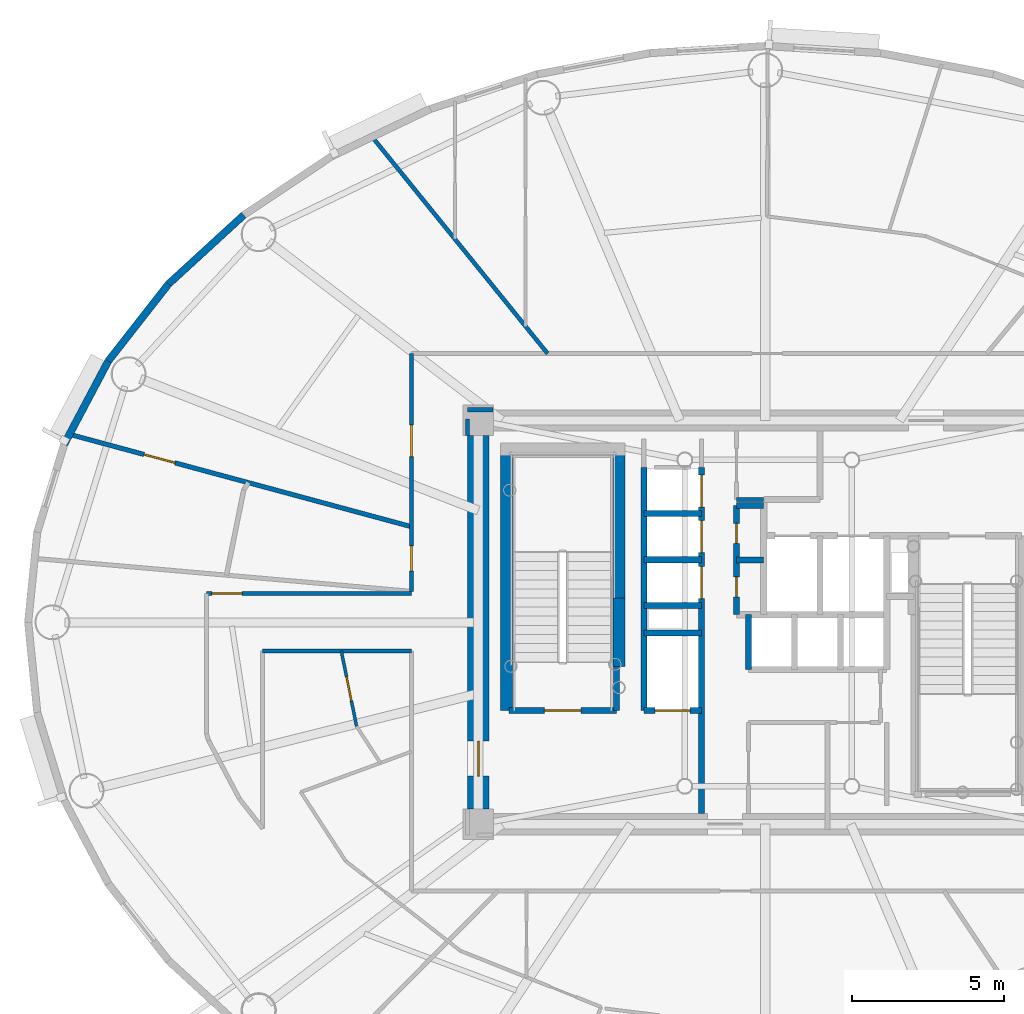
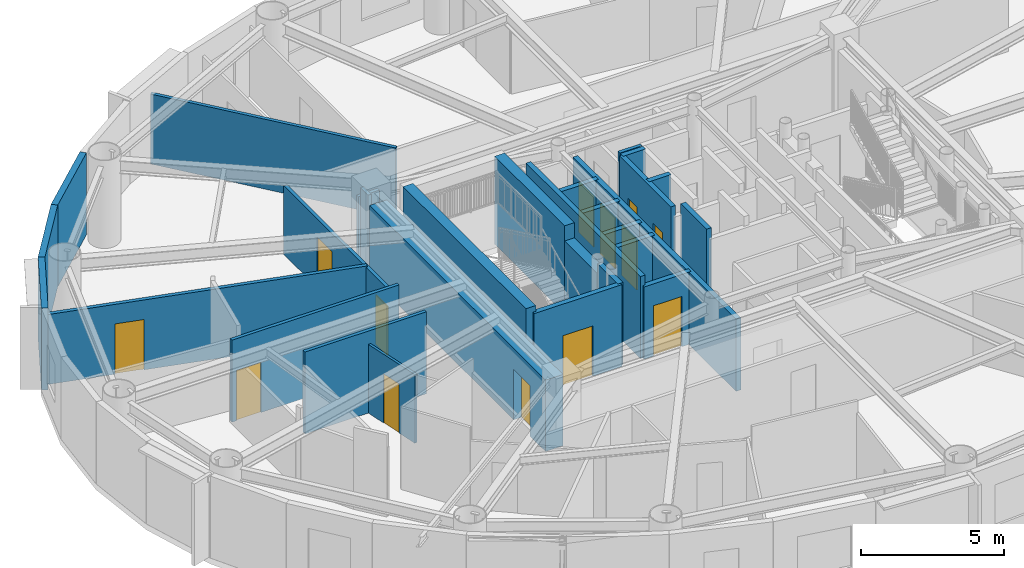
# One storey, part 8 of 18: 29 walls, 13 doors, 13 openings.
"""IFC4 building model written with IfcOpenShell, lengths in metres."""

from ifc_helpers import new_model, si_unit, direction, frame, frame_2d, origin, origin_2d, place, context, subcontext, project, spatial, rectangle, extrude, source, transform, mapped, material, layer, layer_set, type_object, element, fill, save


model = new_model("IFC4")

# Units and contexts
model_context = context("Model", 3, precision=1e-05, world=origin(), true_north=direction((0.0, 1.0)))
body_context = subcontext(model_context, "Body", "Model", "MODEL_VIEW")
ifc_project = project(units=[si_unit("LENGTHUNIT", "METRE"), si_unit("AREAUNIT", "SQUARE_METRE"), si_unit("VOLUMEUNIT", "CUBIC_METRE"), si_unit("PLANEANGLEUNIT", "RADIAN"), si_unit("MASSUNIT", "GRAM", prefix="KILO")], contexts=[model_context])

# Site, building, storey
site_placement = place(None, origin())
site = spatial("IfcSite", under=ifc_project, at=site_placement, CompositionType="ELEMENT")
building_placement = place(site_placement, origin())
building = spatial("IfcBuilding", under=site, at=building_placement, Name="Linh Dai School and Residence Tower", CompositionType="ELEMENT")
storey_placement = place(building_placement, frame((0.0, 0.0, 244.050048828125)))
storey = spatial("IfcBuildingStorey", under=building, at=storey_placement, Name="L60", CompositionType="ELEMENT", Elevation=244.050048828125)

# Walls
ifc_material_1 = material(Name="Precast Concrete B45 (C35/45)", Category="concrete")
ifc_layer_1 = layer(ifc_material_1, 0.239990234375)
ifc_layer_set_1 = layer_set([ifc_layer_1], Name="Precast Concrete B45 (C35/45)")
wall_type_1 = type_object("IfcWallType", Name="EW-TC-240", PredefinedType="SOLIDWALL", material=ifc_layer_set_1)
wall_1_placement = place(storey_placement, frame((16.3515625, 38.14453125, 0.0), z_axis=(0.0, 0.0, 1.0), x_axis=(0.737123922599, 0.675757591694, 0.0)))
element("IfcWall", 1, at=wall_1_placement, inside=storey, type_object=wall_type_1, Name="L60 Terracotta Exterior Wall 16", PredefinedType="SOLIDWALL", context=body_context, shape_type="SweptSolid", body=[
    extrude(rectangle(XDim=3.353759765625, YDim=0.239990234375, at=frame_2d((1.6767578125, 0.0))), origin(), (0.0, 0.0, 1.0), 3.5),
])
wall_2_placement = place(storey_placement, frame((14.3642578125, 35.605224609375, 0.0), z_axis=(0.0, 0.0, 1.0), x_axis=(0.616312344705, 0.787501805562, 0.0)))
element("IfcWall", 2, at=wall_2_placement, inside=storey, type_object=wall_type_1, Name="L60 Terracotta Exterior Wall 17", PredefinedType="SOLIDWALL", context=body_context, shape_type="SweptSolid", body=[
    extrude(rectangle(XDim=3.224609375, YDim=0.239990234375, at=frame_2d((1.6123046875, 0.0))), origin(), (0.0, 0.0, 1.0), 3.5),
])
wall_3_placement = place(storey_placement, frame((12.90966796875, 32.85595703125, 0.0), z_axis=(0.0, 0.0, 1.0), x_axis=(0.46766049993, 0.883908172157, 0.0)))
element("IfcWall", 3, at=wall_3_placement, inside=storey, type_object=wall_type_1, Name="L60 Terracotta Exterior Wall 18", PredefinedType="SOLIDWALL", context=body_context, shape_type="SweptSolid", body=[
    extrude(rectangle(XDim=3.1103515625, YDim=0.239990234375, at=frame_2d((1.55517578125, 0.0))), origin(), (0.0, 0.0, 1.0), 3.5),
])

# Wall, opening, door
ifc_material_2 = material(Name="Autoclaved Aerated Concrete Blockwork", Category="masonry")
ifc_layer_2 = layer(ifc_material_2, 0.135009765625)
ifc_layer_set_2 = layer_set([ifc_layer_2], Name="Autoclaved Aerated Concrete Blockwork")
wall_type_2 = type_object("IfcWallType", Name="IW-CORR-135-EI90", PredefinedType="PARTITIONING", material=ifc_layer_set_2)
wall_4_placement = place(storey_placement, frame((17.60009765625, 27.949951171875, 0.0), z_axis=(0.0, 0.0, 1.0), x_axis=(1.0, 0.0, 0.0)))
wall_4 = element("IfcWall", 4, at=wall_4_placement, inside=storey, type_object=wall_type_2, Name="L60 Interior Partition Wall 005", PredefinedType="PARTITIONING", context=body_context, shape_type="SweptSolid", body=[
    extrude(rectangle(XDim=6.75, YDim=0.135009765625, at=frame_2d((3.375, 0.0))), origin(), (0.0, 0.0, 1.0), 3.5),
])
opening_1_placement = place(wall_4_placement, frame((0.175048828125, 0.0, 0.0)))
opening_1 = element("IfcOpeningElement", 5, at=opening_1_placement, cuts=wall_4, Name="Opening D03", PredefinedType="OPENING", context=body_context, shape_type="SweptSolid", body=[
    extrude(rectangle(XDim=1.0, YDim=2.14990234375, at=origin_2d()), frame((0.5, 0.07763671875, 1.074951171875), z_axis=(0.0, -1.0, 0.0), x_axis=(1.0, 0.0, 0.0)), (0.0, 0.0, 1.0), 0.155029296875),
])
ifc_material_3 = material(Name="Fire-Rated Solid Timber Entrance Door", Category="wood")
door_type_1 = type_object("IfcDoorType", Name="DR-FLAT-1000x2150-FD60S", OperationType="NOTDEFINED", PredefinedType="DOOR", material=ifc_material_3)
shared_shape_1 = source(origin(), body_context, "Body", "SweptSolid", [
    extrude(rectangle(XDim=1.0, YDim=2.14990234375, at=origin_2d()), frame((0.5, 0.02490234375, 1.074951171875), z_axis=(0.0, -1.0, 0.0), x_axis=(1.0, 0.0, 0.0)), (0.0, 0.0, 1.0), 0.050048828125),
])
door_1_placement = place(opening_1_placement, origin())
door_1 = element("IfcDoor", 6, at=door_1_placement, inside=storey, type_object=door_type_1, Name="L60 U6001 Apartment Entrance Door", OperationType="SINGLE_SWING_LEFT", OverallHeight=2.14990234375, OverallWidth=1.0, PredefinedType="DOOR", context=body_context, shape_type="MappedRepresentation", body=[
    mapped(shared_shape_1, transform((0.0, 0.0, 0.0), x_axis=(1.0, 0.0, 0.0), y_axis=(0.0, 1.0, 0.0), z_axis=(0.0, 0.0, 1.0), scale=1.0)),
])
fill(opening_1, door_1)

# Walls
wall_5_placement = place(storey_placement, frame((19.449951171875, 26.050048828125, 0.0), z_axis=(0.0, 0.0, 1.0), x_axis=(1.0, 0.0, 0.0)))
element("IfcWall", 7, at=wall_5_placement, inside=storey, type_object=wall_type_2, Name="L60 Interior Partition Wall 011", PredefinedType="PARTITIONING", context=body_context, shape_type="SweptSolid", body=[
    extrude(rectangle(XDim=4.900146484375, YDim=0.135009765625, at=frame_2d((2.4501953125, 0.0))), origin(), (0.0, 0.0, 1.0), 3.5),
])
wall_6_placement = place(storey_placement, frame((23.05029296875, 42.991455078125, 0.0), z_axis=(0.0, 0.0, 1.0), x_axis=(0.629320507303, -0.777145867317, 0.0)))
element("IfcWall", 8, at=wall_6_placement, inside=storey, type_object=wall_type_2, Name="L60 Interior Partition Wall 018", PredefinedType="PARTITIONING", context=body_context, shape_type="SweptSolid", body=[
    extrude(rectangle(XDim=9.189208984375, YDim=0.135009765625, at=frame_2d((4.5947265625, 0.0))), origin(), (0.0, 0.0, 1.0), 2.98486328125),
])

# Wall, openings, doors
wall_7_placement = place(storey_placement, frame((24.35009765625, 28.019287109375, 0.0), z_axis=(0.0, 0.0, 1.0), x_axis=(0.0, 1.0, 0.0)))
wall_7 = element("IfcWall", 9, at=wall_7_placement, inside=storey, type_object=wall_type_2, Name="L60 Interior Partition Wall 021", PredefinedType="PARTITIONING", context=body_context, shape_type="SweptSolid", body=[
    extrude(rectangle(XDim=7.830810546875, YDim=0.135009765625, at=frame_2d((3.91552734375, 0.0))), origin(), (0.0, 0.0, 1.0), 2.93505859375),
])
opening_2_placement = place(wall_7_placement, frame((4.4345703125, 0.0, 0.0)))
opening_2 = element("IfcOpeningElement", 10, at=opening_2_placement, cuts=wall_7, Name="Opening D04", PredefinedType="OPENING", context=body_context, shape_type="SweptSolid", body=[
    extrude(rectangle(XDim=1.050048828125, YDim=2.14990234375, at=origin_2d()), frame((0.52490234375, 0.07763671875, 1.074951171875), z_axis=(0.0, -1.0, 0.0), x_axis=(1.0, 0.0, 0.0)), (0.0, 0.0, 1.0), 0.155029296875),
])
opening_3_placement = place(wall_7_placement, frame((0.67431640625, 0.0, 0.0)))
opening_3 = element("IfcOpeningElement", 11, at=opening_3_placement, cuts=wall_7, Name="Opening D06", PredefinedType="OPENING", context=body_context, shape_type="SweptSolid", body=[
    extrude(rectangle(XDim=0.820068359375, YDim=2.10009765625, at=origin_2d()), frame((0.41015625, 0.07763671875, 1.050048828125), z_axis=(0.0, -1.0, 0.0), x_axis=(1.0, 0.0, 0.0)), (0.0, 0.0, 1.0), 0.155029296875),
])
ifc_material_4 = material(Name="Acoustic Vision-Panel Timber Classroom Door", Category="wood")
door_type_2 = type_object("IfcDoorType", Name="DR-SCH-1050x2150-FD60S", OperationType="NOTDEFINED", PredefinedType="DOOR", material=ifc_material_4)
shared_shape_2 = source(origin(), body_context, "Body", "SweptSolid", [
    extrude(rectangle(XDim=1.050048828125, YDim=2.14990234375, at=origin_2d()), frame((0.52490234375, 0.02490234375, 1.074951171875), z_axis=(0.0, -1.0, 0.0), x_axis=(1.0, 0.0, 0.0)), (0.0, 0.0, 1.0), 0.050048828125),
])
door_2_placement = place(opening_2_placement, origin())
door_2 = element("IfcDoor", 12, at=door_2_placement, inside=storey, type_object=door_type_2, Name="L60 Sky Wellness and Pilates Studio Door", OperationType="SINGLE_SWING_LEFT", OverallHeight=2.14990234375, OverallWidth=1.050048828125, PredefinedType="DOOR", context=body_context, shape_type="MappedRepresentation", body=[
    mapped(shared_shape_2, transform((0.0, 0.0, 0.0), x_axis=(1.0, 0.0, 0.0), y_axis=(0.0, 1.0, 0.0), z_axis=(0.0, 0.0, 1.0), scale=1.0)),
])
fill(opening_2, door_2)
ifc_material_5 = material(Name="Moisture-Resistant Timber Bathroom Door", Category="wood")
door_type_3 = type_object("IfcDoorType", Name="DR-WET-820x2100", OperationType="NOTDEFINED", PredefinedType="DOOR", material=ifc_material_5)
shared_shape_3 = source(origin(), body_context, "Body", "SweptSolid", [
    extrude(rectangle(XDim=0.820068359375, YDim=2.10009765625, at=origin_2d()), frame((0.41015625, 0.02490234375, 1.050048828125), z_axis=(0.0, -1.0, 0.0), x_axis=(1.0, 0.0, 0.0)), (0.0, 0.0, 1.0), 0.050048828125),
])
door_3_placement = place(opening_3_placement, origin())
door_3 = element("IfcDoor", 13, at=door_3_placement, inside=storey, type_object=door_type_3, Name="L60 Amenity Accessible WC Door", OperationType="SINGLE_SWING_RIGHT", OverallHeight=2.10009765625, OverallWidth=0.820068359375, PredefinedType="DOOR", context=body_context, shape_type="MappedRepresentation", body=[
    mapped(shared_shape_3, transform((0.0, 0.0, 0.0), x_axis=(1.0, 0.0, 0.0), y_axis=(0.0, 1.0, 0.0), z_axis=(0.0, 0.0, 1.0), scale=1.0)),
])
fill(opening_3, door_3)

# Walls
wall_8_placement = place(storey_placement, frame((35.050048828125, 31.050048828125, 0.0), z_axis=(0.0, 0.0, 1.0), x_axis=(1.0, 0.0, 0.0)))
element("IfcWall", 14, at=wall_8_placement, inside=storey, type_object=wall_type_2, Name="L60 Interior Partition Wall 044", PredefinedType="PARTITIONING", context=body_context, shape_type="SweptSolid", body=[
    extrude(rectangle(XDim=0.89990234375, YDim=0.135009765625, at=frame_2d((0.449951171875, 0.0))), origin(), (0.0, 0.0, 1.0), 3.5),
])
wall_9_placement = place(storey_placement, frame((27.0400390625, 34.0, 0.0), z_axis=(0.0, 0.0, 1.0), x_axis=(-1.0, 0.0, 0.0)))
element("IfcWall", 15, at=wall_9_placement, inside=storey, type_object=wall_type_2, Name="L60 Interior Partition Wall 094", PredefinedType="PARTITIONING", context=body_context, shape_type="SweptSolid", body=[
    extrude(rectangle(XDim=0.840087890625, YDim=0.135009765625, at=frame_2d((0.419921875, 0.0))), origin(), (0.0, 0.0, 1.0), 2.93505859375),
])
wall_10_placement = place(storey_placement, frame((26.199951171875, 33.6923828125, 0.0), z_axis=(0.0, 0.0, 1.0), x_axis=(0.0, -1.0, 0.0)))
element("IfcWall", 16, at=wall_10_placement, inside=storey, type_object=wall_type_2, Name="L60 Interior Partition Wall 095", PredefinedType="PARTITIONING", context=body_context, shape_type="SweptSolid", body=[
    extrude(rectangle(XDim=0.532470703125, YDim=0.135009765625, at=frame_2d((0.26611328125, 0.0))), origin(), (0.0, 0.0, 1.0), 3.5),
])

# Wall, opening, door
ifc_layer_3 = layer(ifc_material_2, 0.14990234375)
ifc_layer_set_3 = layer_set([ifc_layer_3], Name="Autoclaved Aerated Concrete Blockwork")
wall_type_3 = type_object("IfcWallType", Name="IW-SCH-150-EI60", PredefinedType="PARTITIONING", material=ifc_layer_set_3)
wall_11_placement = place(storey_placement, frame((13.08203125, 33.1923828125, 0.0), z_axis=(0.0, 0.0, 1.0), x_axis=(0.965379480797, -0.26084949311, 0.0)))
wall_11 = element("IfcWall", 17, at=wall_11_placement, inside=storey, type_object=wall_type_3, Name="L60 Interior Partition Wall 002", PredefinedType="PARTITIONING", context=body_context, shape_type="SweptSolid", body=[
    extrude(rectangle(XDim=11.672119140625, YDim=0.14990234375, at=frame_2d((5.8359375, 0.0))), origin(), (0.0, 0.0, 1.0), 2.98486328125),
])
opening_4_placement = place(wall_11_placement, frame((2.548583984375, 0.0, 0.0)))
opening_4 = element("IfcOpeningElement", 18, at=opening_4_placement, cuts=wall_11, Name="Opening D04", PredefinedType="OPENING", context=body_context, shape_type="SweptSolid", body=[
    extrude(rectangle(XDim=1.050048828125, YDim=2.14990234375, at=origin_2d()), frame((0.52490234375, 0.0849609375, 1.074951171875), z_axis=(0.0, -1.0, 0.0), x_axis=(1.0, 0.0, 0.0)), (0.0, 0.0, 1.0), 0.169921875),
])
door_4_placement = place(opening_4_placement, origin())
door_4 = element("IfcDoor", 19, at=door_4_placement, inside=storey, type_object=door_type_2, Name="L60 Amenity Tea Salon Door", OperationType="SINGLE_SWING_LEFT", OverallHeight=2.14990234375, OverallWidth=1.050048828125, PredefinedType="DOOR", context=body_context, shape_type="MappedRepresentation", body=[
    mapped(shared_shape_2, transform((0.0, 0.0, 0.0), x_axis=(1.0, 0.0, 0.0), y_axis=(0.0, 1.0, 0.0), z_axis=(0.0, 0.0, 1.0), scale=1.0)),
])
fill(opening_4, door_4)

ifc_material_6 = material(Name="Concrete B45 (C35/45)", Category="concrete")
ifc_layer_4 = layer(ifc_material_6, 0.199951171875)
ifc_layer_set_4 = layer_set([ifc_layer_4], Name="Concrete B45 (C35/45)")
wall_type_4 = type_object("IfcWallType", Name="IW-SHAFT-200-EI120", PredefinedType="PARTITIONING", material=ifc_layer_set_4)
wall_12_placement = place(storey_placement, frame((27.56005859375, 24.10009765625, 0.0), z_axis=(0.0, 0.0, 1.0), x_axis=(1.0, 0.0, 0.0)))
wall_12 = element("IfcWall", 20, at=wall_12_placement, inside=storey, type_object=wall_type_4, Name="L60 Interior Partition Wall 025", PredefinedType="PARTITIONING", context=body_context, shape_type="SweptSolid", body=[
    extrude(rectangle(XDim=3.5400390625, YDim=0.199951171875, at=frame_2d((1.77001953125, 0.0))), origin(), (0.0, 0.0, 1.0), 3.5),
])
opening_5_placement = place(wall_12_placement, frame((1.169921875, 0.0, 0.0)))
opening_5 = element("IfcOpeningElement", 21, at=opening_5_placement, cuts=wall_12, Name="Opening D01", PredefinedType="OPENING", context=body_context, shape_type="SweptSolid", body=[
    extrude(rectangle(XDim=1.199951171875, YDim=2.14990234375, at=origin_2d()), frame((0.60009765625, 0.10986328125, 1.074951171875), z_axis=(0.0, -1.0, 0.0), x_axis=(1.0, 0.0, 0.0)), (0.0, 0.0, 1.0), 0.219970703125),
])
ifc_material_7 = material(Name="Fire-Rated Steel Door Leaf", Category="steel")
door_type_4 = type_object("IfcDoorType", Name="DR-STAIR-1200x2150-FD90S", OperationType="NOTDEFINED", PredefinedType="DOOR", material=ifc_material_7)
shared_shape_4 = source(origin(), body_context, "Body", "SweptSolid", [
    extrude(rectangle(XDim=1.199951171875, YDim=2.14990234375, at=origin_2d()), frame((0.60009765625, 0.02490234375, 1.074951171875), z_axis=(0.0, -1.0, 0.0), x_axis=(1.0, 0.0, 0.0)), (0.0, 0.0, 1.0), 0.050048828125),
])
door_5_placement = place(opening_5_placement, origin())
door_5 = element("IfcDoor", 22, at=door_5_placement, inside=storey, type_object=door_type_4, Name="L60 Core Smokeproof Exit Stair ST1 Door", OperationType="SINGLE_SWING_LEFT", OverallHeight=2.14990234375, OverallWidth=1.199951171875, PredefinedType="DOOR", context=body_context, shape_type="MappedRepresentation", body=[
    mapped(shared_shape_4, transform((0.0, 0.0, 0.0), x_axis=(1.0, 0.0, 0.0), y_axis=(0.0, 1.0, 0.0), z_axis=(0.0, 0.0, 1.0), scale=1.0)),
])
fill(opening_5, door_5)

# Walls
wall_13_placement = place(storey_placement, frame((31.10009765625, 24.10009765625, 0.0), z_axis=(0.0, 0.0, 1.0), x_axis=(0.0, 1.0, 0.0)))
element("IfcWall", 23, at=wall_13_placement, inside=storey, type_object=wall_type_4, Name="L60 Interior Partition Wall 030", PredefinedType="PARTITIONING", context=body_context, shape_type="SweptSolid", body=[
    extrude(rectangle(XDim=1.43994140625, YDim=0.199951171875, at=frame_2d((0.719970703125, 0.0))), origin(), (0.0, 0.0, 1.0), 3.5),
])
wall_14_placement = place(storey_placement, frame((32.0, 24.10009765625, 0.0), z_axis=(0.0, 0.0, 1.0), x_axis=(0.0, 1.0, 0.0)))
element("IfcWall", 24, at=wall_14_placement, inside=storey, type_object=wall_type_4, Name="L60 Interior Partition Wall 031", PredefinedType="PARTITIONING", context=body_context, shape_type="SweptSolid", body=[
    extrude(rectangle(XDim=8.0, YDim=0.199951171875, at=frame_2d((4.0, 0.0))), origin(), (0.0, 0.0, 1.0), 3.5),
])

# Wall, opening, door
wall_15_placement = place(storey_placement, frame((32.0, 24.10009765625, 0.0), z_axis=(0.0, 0.0, 1.0), x_axis=(1.0, 0.0, 0.0)))
wall_15 = element("IfcWall", 25, at=wall_15_placement, inside=storey, type_object=wall_type_4, Name="L60 Interior Partition Wall 032", PredefinedType="PARTITIONING", context=body_context, shape_type="SweptSolid", body=[
    extrude(rectangle(XDim=1.89990234375, YDim=0.199951171875, at=frame_2d((0.949951171875, 0.0))), origin(), (0.0, 0.0, 1.0), 3.0849609375),
])
opening_6_placement = place(wall_15_placement, frame((0.375, 0.0, 0.0)))
opening_6 = element("IfcOpeningElement", 26, at=opening_6_placement, cuts=wall_15, Name="Opening LD-FF2", PredefinedType="OPENING", context=body_context, shape_type="SweptSolid", body=[
    extrude(rectangle(XDim=1.14990234375, YDim=2.14990234375, at=origin_2d()), frame((0.574951171875, 0.10986328125, 1.074951171875), z_axis=(0.0, -1.0, 0.0), x_axis=(1.0, 0.0, 0.0)), (0.0, 0.0, 1.0), 0.219970703125),
])
ifc_material_8 = material(Name="Fire-Rated Stainless Steel Firefighting Lift Door", Category="steel")
door_type_5 = type_object("IfcDoorType", Name="DR-LD-FF-1150x2150-FD120", OperationType="DOUBLE_DOOR_SLIDING", PredefinedType="USERDEFINED", material=ifc_material_8)
shared_shape_5 = source(origin(), body_context, "Body", "SweptSolid", [
    extrude(rectangle(XDim=1.14990234375, YDim=2.14990234375, at=origin_2d()), frame((0.574951171875, 0.02490234375, 1.074951171875), z_axis=(0.0, -1.0, 0.0), x_axis=(1.0, 0.0, 0.0)), (0.0, 0.0, 1.0), 0.050048828125),
])
door_6_placement = place(opening_6_placement, origin())
door_6 = element("IfcDoor", 27, at=door_6_placement, inside=storey, type_object=door_type_5, Name="L60 Lift FF2 Sliding Landing Door", ObjectType="LANDING DOOR", OperationType="DOUBLE_DOOR_SLIDING", OverallHeight=2.14990234375, OverallWidth=1.14990234375, PredefinedType="USERDEFINED", context=body_context, shape_type="MappedRepresentation", body=[
    mapped(shared_shape_5, transform((0.0, 0.0, 0.0), x_axis=(1.0, 0.0, 0.0), y_axis=(0.0, 1.0, 0.0), z_axis=(0.0, 0.0, 1.0), scale=1.0)),
])
fill(opening_6, door_6)

# Walls
for number, where, z_axis, x_axis, name in (
    (28, (32.0, 26.64990234375, 0.0), (0.0, 0.0, 1.0), (1.0, 0.0, 0.0), "L60 Interior Partition Wall 033"),
    (29, (32.0, 27.550048828125, 0.0), (0.0, 0.0, 1.0), (1.0, 0.0, 0.0), "L60 Interior Partition Wall 034"),
    (30, (32.0, 29.06005859375, 0.0), (0.0, 0.0, 1.0), (1.0, 0.0, 0.0), "L60 Interior Partition Wall 035"),
    (31, (32.0, 30.580078125, 0.0), (0.0, 0.0, 1.0), (1.0, 0.0, 0.0), "L60 Interior Partition Wall 036"),
):
    element("IfcWall", number, at=place(storey_placement, frame(where, z_axis=z_axis, x_axis=x_axis)), inside=storey, type_object=wall_type_4, Name=name, PredefinedType="PARTITIONING", context=body_context, shape_type="SweptSolid", body=[
        extrude(rectangle(XDim=1.89990234375, YDim=0.199951171875, at=frame_2d((0.949951171875, 0.0))), origin(), (0.0, 0.0, 1.0), 3.0849609375),
    ])

# Wall, openings, doors
wall_16_placement = place(storey_placement, frame((33.89990234375, 20.699951171875, 0.0), z_axis=(0.0, 0.0, 1.0), x_axis=(0.0, 1.0, 0.0)))
wall_16 = element("IfcWall", 32, at=wall_16_placement, inside=storey, type_object=wall_type_4, Name="L60 Interior Partition Wall 037", PredefinedType="PARTITIONING", context=body_context, shape_type="SweptSolid", body=[
    extrude(rectangle(XDim=11.400146484375, YDim=0.199951171875, at=frame_2d((5.7001953125, 0.0))), origin(), (0.0, 0.0, 1.0), 3.0849609375),
])
opening_7_placement = place(wall_16_placement, frame((7.080078125, 0.0, 0.0)))
opening_7 = element("IfcOpeningElement", 33, at=opening_7_placement, cuts=wall_16, Name="Opening LD-PL4", PredefinedType="OPENING", context=body_context, shape_type="SweptSolid", body=[
    extrude(rectangle(XDim=1.050048828125, YDim=2.14990234375, at=origin_2d()), frame((0.52490234375, 0.10986328125, 1.074951171875), z_axis=(0.0, -1.0, 0.0), x_axis=(1.0, 0.0, 0.0)), (0.0, 0.0, 1.0), 0.219970703125),
])
opening_8_placement = place(wall_16_placement, frame((8.594970703125, 0.0, 0.0)))
opening_8 = element("IfcOpeningElement", 34, at=opening_8_placement, cuts=wall_16, Name="Opening LD-PL5", PredefinedType="OPENING", context=body_context, shape_type="SweptSolid", body=[
    extrude(rectangle(XDim=1.050048828125, YDim=2.14990234375, at=origin_2d()), frame((0.52490234375, 0.10986328125, 1.074951171875), z_axis=(0.0, -1.0, 0.0), x_axis=(1.0, 0.0, 0.0)), (0.0, 0.0, 1.0), 0.219970703125),
])
opening_9_placement = place(wall_16_placement, frame((10.094970703125, 0.0, 0.0)))
opening_9 = element("IfcOpeningElement", 35, at=opening_9_placement, cuts=wall_16, Name="Opening LD-PL6", PredefinedType="OPENING", context=body_context, shape_type="SweptSolid", body=[
    extrude(rectangle(XDim=1.050048828125, YDim=2.14990234375, at=origin_2d()), frame((0.52490234375, 0.10986328125, 1.074951171875), z_axis=(0.0, -1.0, 0.0), x_axis=(1.0, 0.0, 0.0)), (0.0, 0.0, 1.0), 0.219970703125),
])
ifc_material_9 = material(Name="Brushed Stainless Steel Lift Landing Door", Category="steel")
door_type_6 = type_object("IfcDoorType", Name="DR-LD-PASS-1050x2150", OperationType="DOUBLE_DOOR_SLIDING", PredefinedType="USERDEFINED", material=ifc_material_9)
shared_shape_6 = source(origin(), body_context, "Body", "SweptSolid", [
    extrude(rectangle(XDim=1.050048828125, YDim=2.14990234375, at=origin_2d()), frame((0.52490234375, 0.02490234375, 1.074951171875), z_axis=(0.0, -1.0, 0.0), x_axis=(1.0, 0.0, 0.0)), (0.0, 0.0, 1.0), 0.050048828125),
])
door_7_placement = place(opening_7_placement, origin())
door_7 = element("IfcDoor", 36, at=door_7_placement, inside=storey, type_object=door_type_6, Name="L60 Lift PL4 Sliding Landing Door", ObjectType="LANDING DOOR", OperationType="DOUBLE_DOOR_SLIDING", OverallHeight=2.14990234375, OverallWidth=1.050048828125, PredefinedType="USERDEFINED", context=body_context, shape_type="MappedRepresentation", body=[
    mapped(shared_shape_6, transform((0.0, 0.0, 0.0), x_axis=(1.0, 0.0, 0.0), y_axis=(0.0, 1.0, 0.0), z_axis=(0.0, 0.0, 1.0), scale=1.0)),
])
fill(opening_7, door_7)
door_8_placement = place(opening_8_placement, origin())
door_8 = element("IfcDoor", 37, at=door_8_placement, inside=storey, type_object=door_type_6, Name="L60 Lift PL5 Sliding Landing Door", ObjectType="LANDING DOOR", OperationType="DOUBLE_DOOR_SLIDING", OverallHeight=2.14990234375, OverallWidth=1.050048828125, PredefinedType="USERDEFINED", context=body_context, shape_type="MappedRepresentation", body=[
    mapped(shared_shape_6, transform((0.0, 0.0, 0.0), x_axis=(1.0, 0.0, 0.0), y_axis=(0.0, 1.0, 0.0), z_axis=(0.0, 0.0, 1.0), scale=1.0)),
])
fill(opening_8, door_8)
door_9_placement = place(opening_9_placement, origin())
door_9 = element("IfcDoor", 38, at=door_9_placement, inside=storey, type_object=door_type_6, Name="L60 Lift PL6 Sliding Landing Door", ObjectType="LANDING DOOR", OperationType="DOUBLE_DOOR_SLIDING", OverallHeight=2.14990234375, OverallWidth=1.050048828125, PredefinedType="USERDEFINED", context=body_context, shape_type="MappedRepresentation", body=[
    mapped(shared_shape_6, transform((0.0, 0.0, 0.0), x_axis=(1.0, 0.0, 0.0), y_axis=(0.0, 1.0, 0.0), z_axis=(0.0, 0.0, 1.0), scale=1.0)),
])
fill(opening_9, door_9)

wall_17_placement = place(storey_placement, frame((35.050048828125, 27.25, 0.0), z_axis=(0.0, 0.0, 1.0), x_axis=(0.0, 1.0, 0.0)))
wall_17 = element("IfcWall", 39, at=wall_17_placement, inside=storey, type_object=wall_type_4, Name="L60 Interior Partition Wall 039", PredefinedType="PARTITIONING", context=body_context, shape_type="SweptSolid", body=[
    extrude(rectangle(XDim=3.60009765625, YDim=0.199951171875, at=frame_2d((1.800048828125, 0.0))), origin(), (0.0, 0.0, 1.0), 3.5),
])
opening_10_placement = place(wall_17_placement, frame((0.590087890625, 0.0, 0.0)))
opening_10 = element("IfcOpeningElement", 40, at=opening_10_placement, cuts=wall_17, Name="Opening AD1", PredefinedType="OPENING", context=body_context, shape_type="SweptSolid", body=[
    extrude(rectangle(XDim=0.659912109375, YDim=2.050048828125, at=origin_2d()), frame((0.330078125, 0.10986328125, 1.02490234375), z_axis=(0.0, -1.0, 0.0), x_axis=(1.0, 0.0, 0.0)), (0.0, 0.0, 1.0), 0.219970703125),
])
opening_11_placement = place(wall_17_placement, frame((2.35009765625, 0.0, 0.0)))
opening_11 = element("IfcOpeningElement", 41, at=opening_11_placement, cuts=wall_17, Name="Opening AD1", PredefinedType="OPENING", context=body_context, shape_type="SweptSolid", body=[
    extrude(rectangle(XDim=0.659912109375, YDim=2.050048828125, at=origin_2d()), frame((0.330078125, 0.10986328125, 1.02490234375), z_axis=(0.0, -1.0, 0.0), x_axis=(1.0, 0.0, 0.0)), (0.0, 0.0, 1.0), 0.219970703125),
])
ifc_material_10 = material(Name="Fire-Rated Steel Riser Access Door", Category="steel")
door_type_7 = type_object("IfcDoorType", Name="DR-ACC-660x2050-FD90S", OperationType="NOTDEFINED", PredefinedType="USERDEFINED", material=ifc_material_10)
shared_shape_7 = source(origin(), body_context, "Body", "SweptSolid", [
    extrude(rectangle(XDim=0.659912109375, YDim=2.050048828125, at=origin_2d()), frame((0.330078125, 0.02490234375, 1.02490234375), z_axis=(0.0, -1.0, 0.0), x_axis=(1.0, 0.0, 0.0)), (0.0, 0.0, 1.0), 0.050048828125),
])
door_10_placement = place(opening_10_placement, origin())
door_10 = element("IfcDoor", 42, at=door_10_placement, inside=storey, type_object=door_type_7, Name="L60 Telecom and Data Riser Access Door", ObjectType="ACCESS DOOR", OperationType="SINGLE_SWING_LEFT", OverallHeight=2.050048828125, OverallWidth=0.659912109375, PredefinedType="USERDEFINED", context=body_context, shape_type="MappedRepresentation", body=[
    mapped(shared_shape_7, transform((0.0, 0.0, 0.0), x_axis=(1.0, 0.0, 0.0), y_axis=(0.0, 1.0, 0.0), z_axis=(0.0, 0.0, 1.0), scale=1.0)),
])
fill(opening_10, door_10)
door_11_placement = place(opening_11_placement, origin())
door_11 = element("IfcDoor", 43, at=door_11_placement, inside=storey, type_object=door_type_7, Name="L60 Mechanical and Plumbing Riser Access Door", ObjectType="ACCESS DOOR", OperationType="SINGLE_SWING_RIGHT", OverallHeight=2.050048828125, OverallWidth=0.659912109375, PredefinedType="USERDEFINED", context=body_context, shape_type="MappedRepresentation", body=[
    mapped(shared_shape_7, transform((0.0, 0.0, 0.0), x_axis=(1.0, 0.0, 0.0), y_axis=(0.0, 1.0, 0.0), z_axis=(0.0, 0.0, 1.0), scale=1.0)),
])
fill(opening_11, door_11)

# Walls
for number, where, z_axis, x_axis, name in (
    (44, (35.050048828125, 29.050048828125, 0.0), (0.0, 0.0, 1.0), (1.0, 0.0, 0.0), "L60 Interior Partition Wall 041"),
    (45, (35.050048828125, 30.85009765625, 0.0), (0.0, 0.0, 1.0), (1.0, 0.0, 0.0), "L60 Interior Partition Wall 042"),
):
    element("IfcWall", number, at=place(storey_placement, frame(where, z_axis=z_axis, x_axis=x_axis)), inside=storey, type_object=wall_type_4, Name=name, PredefinedType="PARTITIONING", context=body_context, shape_type="SweptSolid", body=[
        extrude(rectangle(XDim=0.89990234375, YDim=0.199951171875, at=frame_2d((0.449951171875, 0.0))), origin(), (0.0, 0.0, 1.0), 3.5),
    ])
wall_18_placement = place(storey_placement, frame((35.449951171875, 25.449951171875, 0.0), z_axis=(0.0, 0.0, 1.0), x_axis=(0.0, 1.0, 0.0)))
element("IfcWall", 46, at=wall_18_placement, inside=storey, type_object=wall_type_4, Name="L60 Interior Partition Wall 047", PredefinedType="PARTITIONING", context=body_context, shape_type="SweptSolid", body=[
    extrude(rectangle(XDim=1.800048828125, YDim=0.199951171875, at=frame_2d((0.89990234375, 0.0))), origin(), (0.0, 0.0, 1.0), 3.5),
])

# Wall, opening, door
ifc_material_11 = material(Name="Gypsum Plasterboard Acoustic Stud Partition", Category="masonry")
ifc_layer_5 = layer(ifc_material_11, 0.10009765625)
ifc_layer_set_5 = layer_set([ifc_layer_5], Name="Gypsum Plasterboard Acoustic Stud Partition")
wall_type_5 = type_object("IfcWallType", Name="IW-UNIT-100", PredefinedType="PARTITIONING", material=ifc_layer_set_5)
wall_19_placement = place(storey_placement, frame((22.040283203125, 26.050048828125, 0.0), z_axis=(0.0, 0.0, 1.0), x_axis=(0.198273230268, -0.980146788067, 0.0)))
wall_19 = element("IfcWall", 47, at=wall_19_placement, inside=storey, type_object=wall_type_5, Name="L60 Interior Partition Wall 015", PredefinedType="PARTITIONING", context=body_context, shape_type="SweptSolid", body=[
    extrude(rectangle(XDim=2.524169921875, YDim=0.10009765625, at=frame_2d((1.26220703125, 0.0))), origin(), (0.0, 0.0, 1.0), 2.93505859375),
])
opening_12_placement = place(wall_19_placement, frame((0.852294921875, 0.0, 0.0)))
opening_12 = element("IfcOpeningElement", 48, at=opening_12_placement, cuts=wall_19, Name="Opening D06", PredefinedType="OPENING", context=body_context, shape_type="SweptSolid", body=[
    extrude(rectangle(XDim=0.820068359375, YDim=2.10009765625, at=origin_2d()), frame((0.41015625, 0.06005859375, 1.050048828125), z_axis=(0.0, -1.0, 0.0), x_axis=(1.0, 0.0, 0.0)), (0.0, 0.0, 1.0), 0.1201171875),
])
door_12_placement = place(opening_12_placement, origin())
door_12 = element("IfcDoor", 49, at=door_12_placement, inside=storey, type_object=door_type_3, Name="L60 Apartment U6001 Bathroom Door", OperationType="SINGLE_SWING_RIGHT", OverallHeight=2.10009765625, OverallWidth=0.820068359375, PredefinedType="DOOR", context=body_context, shape_type="MappedRepresentation", body=[
    mapped(shared_shape_3, transform((0.0, 0.0, 0.0), x_axis=(1.0, 0.0, 0.0), y_axis=(0.0, 1.0, 0.0), z_axis=(0.0, 0.0, 1.0), scale=1.0)),
])
fill(opening_12, door_12)

# Walls
ifc_layer_6 = layer(ifc_material_6, 0.39990234375)
ifc_layer_set_6 = layer_set([ifc_layer_6], Name="Concrete B45 (C35/45)")
wall_type_6 = type_object("IfcWallType", Name="WL-CORE400", PredefinedType="SHEAR", material=ifc_layer_set_6)
wall_20_placement = place(storey_placement, frame((27.47998046875, 24.10009765625, 0.0), z_axis=(0.0, 0.0, 1.0), x_axis=(0.0, 1.0, 0.0)))
element("IfcWall", 50, at=wall_20_placement, inside=storey, type_object=wall_type_6, Name="L60 Core Stair ST1 Bearing Wall W", PredefinedType="SHEAR", context=body_context, shape_type="SweptSolid", body=[
    extrude(rectangle(XDim=8.599853515625, YDim=0.39990234375, at=frame_2d((4.2998046875, 0.0))), origin(), (0.0, 0.0, 1.0), 3.75),
])
wall_21_placement = place(storey_placement, frame((31.179931640625, 27.800048828125, 0.0), z_axis=(0.0, 0.0, 1.0), x_axis=(0.0, 1.0, 0.0)))
element("IfcWall", 51, at=wall_21_placement, inside=storey, type_object=wall_type_6, Name="L60 Core Stair ST1 Bearing Wall E", PredefinedType="SHEAR", context=body_context, shape_type="SweptSolid", body=[
    extrude(rectangle(XDim=4.89990234375, YDim=0.39990234375, at=frame_2d((2.449951171875, 0.0))), origin(), (0.0, 0.0, 1.0), 3.75),
])
wall_22_placement = place(storey_placement, frame((31.179931640625, 25.550048828125, 0.0), z_axis=(0.0, 0.0, 1.0), x_axis=(0.0, 1.0, 0.0)))
element("IfcWall", 52, at=wall_22_placement, inside=storey, type_object=wall_type_6, Name="L60 Internal Core Shear Wall IW", PredefinedType="SHEAR", context=body_context, shape_type="SweptSolid", body=[
    extrude(rectangle(XDim=2.25, YDim=0.39990234375, at=frame_2d((1.125, 0.0))), origin(), (0.0, 0.0, 1.0), 3.099853515625),
])

# Wall, opening, door
ifc_layer_7 = layer(ifc_material_6, 0.699951171875)
ifc_layer_set_7 = layer_set([ifc_layer_7], Name="Concrete B45 (C35/45)")
wall_type_7 = type_object("IfcWallType", Name="WL-CORE700", PredefinedType="SHEAR", material=ifc_layer_set_7)
wall_23_placement = place(storey_placement, frame((26.550048828125, 20.85009765625, 0.0), z_axis=(0.0, 0.0, 1.0), x_axis=(0.0, 1.0, 0.0)))
wall_23 = element("IfcWall", 53, at=wall_23_placement, inside=storey, type_object=wall_type_7, Name="L60 Central Core Shear Wall W", PredefinedType="SHEAR", context=body_context, shape_type="SweptSolid", body=[
    extrude(rectangle(XDim=12.2998046875, YDim=0.699951171875, at=frame_2d((6.14990234375, 0.0))), origin(), (0.0, 0.0, 1.0), 3.050048828125),
])
opening_13_placement = place(wall_23_placement, frame((1.085205078125, 0.0, 0.0)))
opening_13 = element("IfcOpeningElement", 54, at=opening_13_placement, cuts=wall_23, Name="Opening D02", PredefinedType="OPENING", context=body_context, shape_type="SweptSolid", body=[
    extrude(rectangle(XDim=1.14990234375, YDim=2.14990234375, at=origin_2d()), frame((0.574951171875, 0.35986328125, 1.074951171875), z_axis=(0.0, -1.0, 0.0), x_axis=(1.0, 0.0, 0.0)), (0.0, 0.0, 1.0), 0.719970703125),
])
ifc_material_12 = material(Name="Fire-Rated Glazed Steel Lobby Door", Category="steel")
door_type_8 = type_object("IfcDoorType", Name="DR-LOBBY-1150x2150-FD90S", OperationType="NOTDEFINED", PredefinedType="DOOR", material=ifc_material_12)
shared_shape_8 = source(origin(), body_context, "Body", "SweptSolid", [
    extrude(rectangle(XDim=1.14990234375, YDim=2.14990234375, at=origin_2d()), frame((0.574951171875, 0.02490234375, 1.074951171875), z_axis=(0.0, -1.0, 0.0), x_axis=(1.0, 0.0, 0.0)), (0.0, 0.0, 1.0), 0.050048828125),
])
door_13_placement = place(opening_13_placement, origin())
door_13 = element("IfcDoor", 55, at=door_13_placement, inside=storey, type_object=door_type_8, Name="L60 Firefighting Lobby Door", OperationType="SINGLE_SWING_RIGHT", OverallHeight=2.14990234375, OverallWidth=1.14990234375, PredefinedType="DOOR", context=body_context, shape_type="MappedRepresentation", body=[
    mapped(shared_shape_8, transform((0.0, 0.0, 0.0), x_axis=(1.0, 0.0, 0.0), y_axis=(0.0, 1.0, 0.0), z_axis=(0.0, 0.0, 1.0), scale=1.0)),
])
fill(opening_13, door_13)

save(model, "model.ifc")
